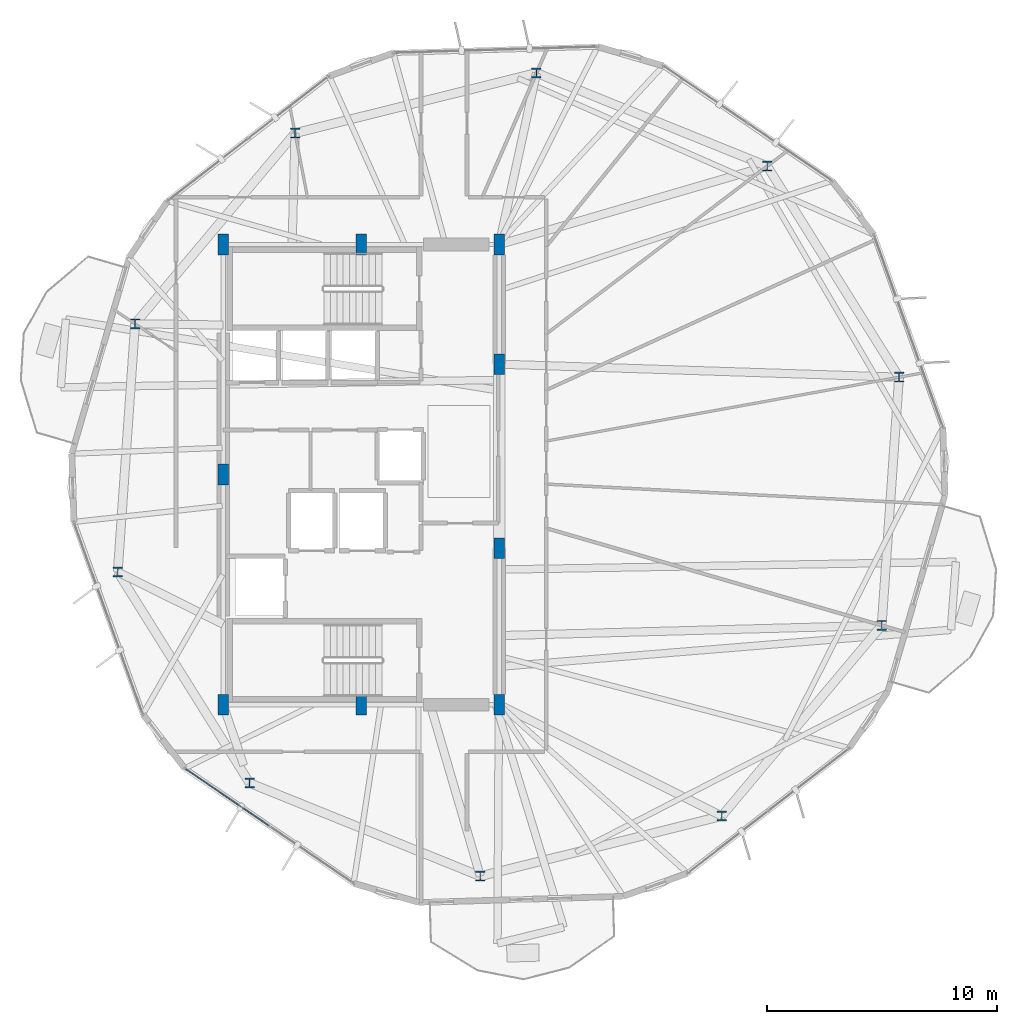
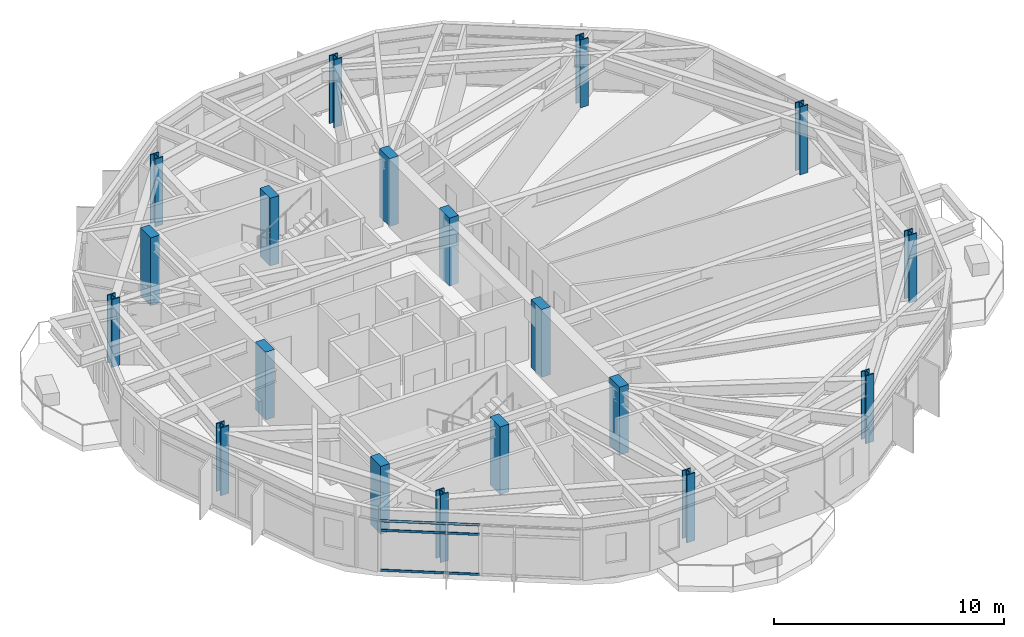
# One storey, part 1 of 23: 19 columns, 3 members, 1 element without a shape of its own.
"""IFC4 building model written with IfcOpenShell, lengths in metres."""

from ifc_helpers import new_model, si_unit, direction, frame, origin, origin_2d, place, context, subcontext, project, spatial, rectangle, hollow_rectangle, i_section, extrude, material, layer, layer_set, material_profile, profile_set, type_object, element, aggregate, save


model = new_model("IFC4")

# Units and contexts
model_context = context("Model", 3, precision=1e-05, world=origin(), true_north=direction((0.0, 1.0)))
body_context = subcontext(model_context, "Body", "Model", "MODEL_VIEW")
ifc_project = project(units=[si_unit("LENGTHUNIT", "METRE"), si_unit("AREAUNIT", "SQUARE_METRE"), si_unit("VOLUMEUNIT", "CUBIC_METRE"), si_unit("PLANEANGLEUNIT", "RADIAN"), si_unit("MASSUNIT", "GRAM", prefix="KILO")], contexts=[model_context])

# Site, building, storey
site_placement = place(None, origin())
site = spatial("IfcSite", under=ifc_project, at=site_placement, CompositionType="ELEMENT")
building_placement = place(site_placement, origin())
building = spatial("IfcBuilding", under=site, at=building_placement, Name="Soratama Intermodal Tower", CompositionType="ELEMENT")
storey_placement = place(building_placement, frame((0.0, 0.0, 171.39990234375)))
storey = spatial("IfcBuildingStorey", under=building, at=storey_placement, Name="L42", CompositionType="ELEMENT", Elevation=171.39990234375)

# Columns
ifc_material_1 = material(Name="Structural steel ASTM A992 Grade 50", Category="steel")
ifc_material_profile_1 = material_profile(ifc_material_1, i_section(OverallWidth=0.412109375, OverallDepth=0.43505859375, WebThickness=0.035888671875, FlangeThickness=0.057373046875, FilletRadius=0.0380859375, at=origin_2d()), Name="W14X311")
ifc_profile_set_1 = profile_set([ifc_material_profile_1], Name="Structural steel ASTM A992 Grade 50")
column_type_1 = type_object("IfcColumnType", Name="COL-ZC-W14X311", PredefinedType="COLUMN", material=ifc_profile_set_1)
for number, where, z_axis, x_axis, name in (
    (1, (61.980224609375, 29.233642578125, 0.0), (0.0, 0.0, 1.0), (1.0, 0.0, 0.0), "L42 Tower Ring Column R01"),
    (2, (56.248779296875, 38.40576171875, 0.0), (0.0, 0.0, 1.0), (1.0, 0.0, 0.0), "L42 Tower Ring Column R02"),
    (3, (46.220703125, 42.45751953125, 0.0), (0.0, 0.0, 1.0), (1.0, 0.0, 0.0), "L42 Tower Ring Column R03"),
    (4, (35.726318359375, 39.8408203125, 0.0), (0.0, 0.0, 1.0), (1.0, 0.0, 0.0), "L42 Tower Ring Column R04"),
    (5, (28.7744140625, 31.5556640625, 0.0), (0.0, 0.0, 1.0), (1.0, 0.0, 0.0), "L42 Tower Ring Column R05"),
    (6, (28.019775390625, 20.766357421875, 0.0), (0.0, 0.0, 1.0), (1.0, 0.0, 0.0), "L42 Tower Ring Column R06"),
    (7, (33.751220703125, 11.59423828125, 0.0), (0.0, 0.0, 1.0), (1.0, 0.0, 0.0), "L42 Tower Ring Column R07"),
    (8, (43.779296875, 7.54248046875, 0.0), (0.0, 0.0, 1.0), (1.0, 0.0, 0.0), "L42 Tower Ring Column R08"),
    (9, (54.273681640625, 10.1591796875, 0.0), (0.0, 0.0, 1.0), (1.0, 0.0, 0.0), "L42 Tower Ring Column R09"),
    (10, (61.2255859375, 18.4443359375, 0.0), (0.0, 0.0, 1.0), (1.0, 0.0, 0.0), "L42 Tower Ring Column R10"),
):
    element("IfcColumn", number, at=place(storey_placement, frame(where, z_axis=z_axis, x_axis=x_axis)), inside=storey, type_object=column_type_1, Name=name, PredefinedType="COLUMN", context=body_context, shape_type="SweptSolid", body=[
        extrude(i_section(OverallWidth=0.412109375, OverallDepth=0.43505859375, WebThickness=0.035888671875, FlangeThickness=0.057373046875, FilletRadius=0.0380859375, at=origin_2d()), origin(), (0.0, 0.0, 1.0), 3.60009765625),
    ])
ifc_material_2 = material(Name="Concrete f'c 56 MPa", Category="concrete")
ifc_material_profile_2 = material_profile(ifc_material_2, rectangle(XDim=0.449951171875, YDim=0.89990234375, at=origin_2d()), Name="RC450X900")
ifc_profile_set_2 = profile_set([ifc_material_profile_2], Name="Concrete f'c 56 MPa")
column_type_2 = type_object("IfcColumnType", Name="PIL-CORE-450X900", PredefinedType="PILASTER", material=ifc_profile_set_2)
for number, where, z_axis, x_axis, name in (
    (11, (32.60009765625, 15.0, 0.0), (0.0, 0.0, 1.0), (1.0, 0.0, 0.0), "L42 Core Pilaster 1"),
    (12, (32.60009765625, 25.0, 0.0), (0.0, 0.0, 1.0), (1.0, 0.0, 0.0), "L42 Core Pilaster 2"),
    (13, (32.60009765625, 35.0, 0.0), (0.0, 0.0, 1.0), (1.0, 0.0, 0.0), "L42 Core Pilaster 3"),
    (14, (38.60009765625, 15.0, 0.0), (0.0, 0.0, 1.0), (1.0, 0.0, 0.0), "L42 Core Pilaster 4"),
    (15, (38.60009765625, 35.0, 0.0), (0.0, 0.0, 1.0), (1.0, 0.0, 0.0), "L42 Core Pilaster 5"),
    (16, (44.60009765625, 15.0, 0.0), (0.0, 0.0, 1.0), (1.0, 0.0, 0.0), "L42 Core Pilaster 6"),
    (17, (44.60009765625, 21.800048828125, 0.0), (0.0, 0.0, 1.0), (1.0, 0.0, 0.0), "L42 Core Pilaster 7"),
    (18, (44.60009765625, 29.800048828125, 0.0), (0.0, 0.0, 1.0), (1.0, 0.0, 0.0), "L42 Core Pilaster 8"),
    (19, (44.60009765625, 35.0, 0.0), (0.0, 0.0, 1.0), (1.0, 0.0, 0.0), "L42 Core Pilaster 9"),
):
    element("IfcColumn", number, at=place(storey_placement, frame(where, z_axis=z_axis, x_axis=x_axis)), inside=storey, type_object=column_type_2, Name=name, PredefinedType="PILASTER", context=body_context, shape_type="SweptSolid", body=[
        extrude(rectangle(XDim=0.449951171875, YDim=0.89990234375, at=origin_2d()), origin(), (0.0, 0.0, 1.0), 3.60009765625),
    ])

# Curtain wall, members
ifc_material_3 = material(Name="Double-glazed aluminium curtain wall", Category="aluminium")
ifc_layer = layer(ifc_material_3, 0.159912109375)
ifc_layer_set = layer_set([ifc_layer], Name="Double-glazed aluminium curtain wall")
curtain_wall_type = type_object("IfcCurtainWallType", Name="CW-SYS-4", PredefinedType="NOTDEFINED", material=ifc_layer_set)
curtain_wall_placement = place(storey_placement, origin())
curtain_wall = element("IfcCurtainWall", 20, at=curtain_wall_placement, inside=storey, type_object=curtain_wall_type, Name="L42 Faceted Curtain Wall F06", PredefinedType="NOTDEFINED")
ifc_material_4 = material(Name="Anodised aluminium AA 6063-T6", Category="aluminium")
ifc_material_profile_3 = material_profile(ifc_material_4, hollow_rectangle(XDim=0.06005859375, YDim=0.1298828125, WallThickness=0.0048828125, InnerFilletRadius=0.0048828125, OuterFilletRadius=0.010009765625, at=origin_2d()), Name="CWT130X60X5")
ifc_profile_set_3 = profile_set([ifc_material_profile_3], Name="Anodised aluminium AA 6063-T6")
member_type = type_object("IfcMemberType", Name="TT-CWT-2", PredefinedType="USERDEFINED", material=ifc_profile_set_3)
member_1_placement = place(storey_placement, frame((30.9765625, 12.197998046875, 0.030029296875), z_axis=(0.826504873335, -0.562929564292, 0.0), x_axis=(0.562929564292, 0.826504873335, 0.0)))
member_1 = element("IfcMember", 21, at=member_1_placement, type_object=member_type, Name="CW-4 transom 1.1", ObjectType="TRANSOM", PredefinedType="USERDEFINED", context=body_context, shape_type="SweptSolid", body=[
    extrude(hollow_rectangle(XDim=0.06005859375, YDim=0.1298828125, WallThickness=0.0048828125, InnerFilletRadius=0.0048828125, OuterFilletRadius=0.010009765625, at=origin_2d()), origin(), (0.0, 0.0, 1.0), 4.353515625),
])
member_2_placement = place(storey_placement, frame((30.9765625, 12.197998046875, 2.150146484375), z_axis=(0.826504873335, -0.562929564292, 0.0), x_axis=(0.562929564292, 0.826504873335, 0.0)))
member_2 = element("IfcMember", 22, at=member_2_placement, type_object=member_type, Name="CW-4 transom 1.2", ObjectType="TRANSOM", PredefinedType="USERDEFINED", context=body_context, shape_type="SweptSolid", body=[
    extrude(hollow_rectangle(XDim=0.06005859375, YDim=0.1298828125, WallThickness=0.0048828125, InnerFilletRadius=0.0048828125, OuterFilletRadius=0.010009765625, at=origin_2d()), origin(), (0.0, 0.0, 1.0), 4.353515625),
])
member_3_placement = place(storey_placement, frame((30.9765625, 12.197998046875, 2.649169921875), z_axis=(0.826504873335, -0.562929564292, 0.0), x_axis=(0.562929564292, 0.826504873335, 0.0)))
member_3 = element("IfcMember", 23, at=member_3_placement, type_object=member_type, Name="CW-4 transom 1.3", ObjectType="TRANSOM", PredefinedType="USERDEFINED", context=body_context, shape_type="SweptSolid", body=[
    extrude(hollow_rectangle(XDim=0.06005859375, YDim=0.1298828125, WallThickness=0.0048828125, InnerFilletRadius=0.0048828125, OuterFilletRadius=0.010009765625, at=origin_2d()), origin(), (0.0, 0.0, 1.0), 4.353515625),
])
aggregate(curtain_wall, [member_1, member_2, member_3])

save(model, "model.ifc")
